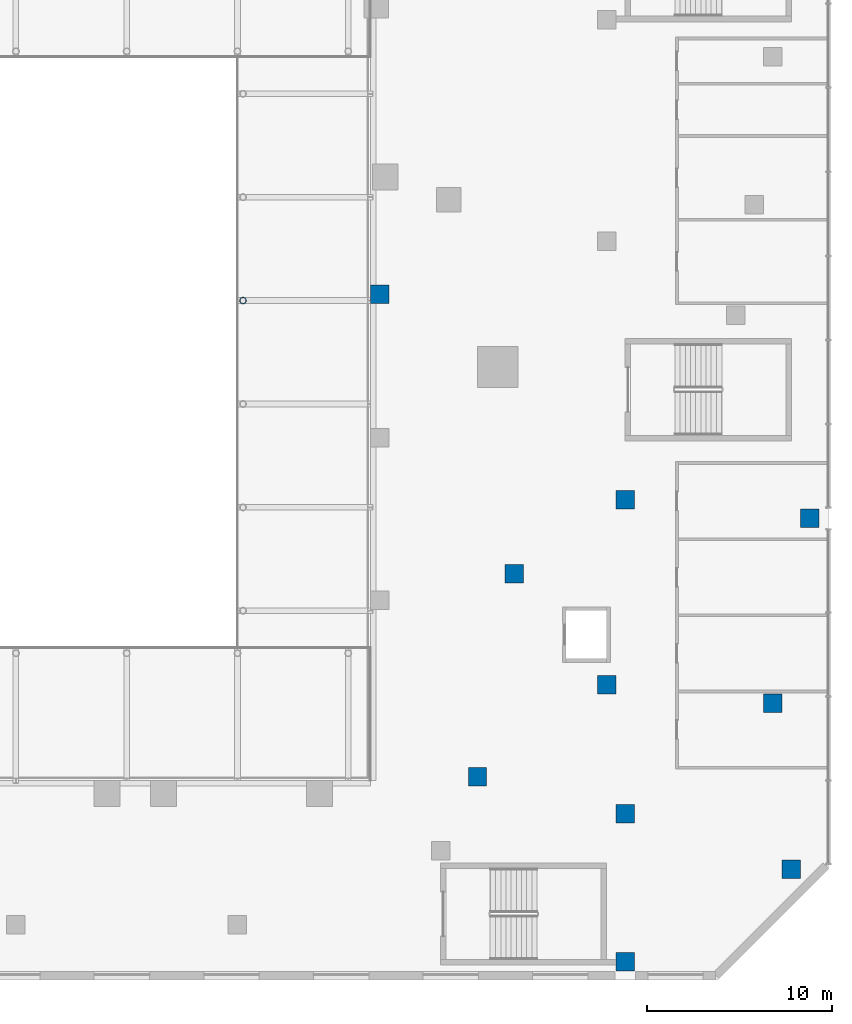
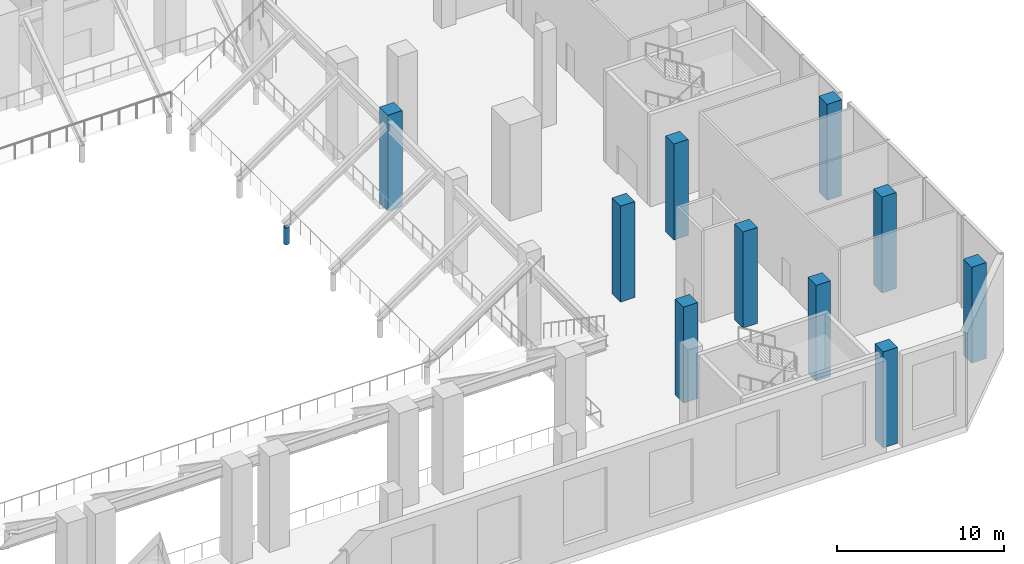
# One storey, part 6 of 41: 11 columns.
"""IFC4 building model written with IfcOpenShell, lengths in metres."""

from ifc_helpers import new_model, si_unit, direction, frame, origin, origin_2d, place, context, subcontext, project, spatial, rectangle, hollow_circle, extrude, material, material_profile, profile_set, type_object, element, save


model = new_model("IFC4")

# Units and contexts
model_context = context("Model", 3, precision=1e-05, world=origin(), true_north=direction((0.0, 1.0)))
body_context = subcontext(model_context, "Body", "Model", "MODEL_VIEW")
ifc_project = project(units=[si_unit("LENGTHUNIT", "METRE"), si_unit("AREAUNIT", "SQUARE_METRE"), si_unit("VOLUMEUNIT", "CUBIC_METRE"), si_unit("PLANEANGLEUNIT", "RADIAN"), si_unit("MASSUNIT", "GRAM", prefix="KILO")], contexts=[model_context])

# Site, building, storey
site_placement = place(None, origin())
site = spatial("IfcSite", under=ifc_project, at=site_placement, CompositionType="ELEMENT")
building_placement = place(site_placement, origin())
building = spatial("IfcBuilding", under=site, at=building_placement, Name="Wharfspan Tower", CompositionType="ELEMENT")
storey_placement = place(building_placement, frame((0.0, 0.0, 8.0)))
storey = spatial("IfcBuildingStorey", under=building, at=storey_placement, Name="L01", CompositionType="ELEMENT", Elevation=8.0)

# Columns
ifc_material_1 = material(Name="Concrete C60/75", Category="concrete")
ifc_material_profile_1 = material_profile(ifc_material_1, rectangle(XDim=1.0, YDim=1.0, at=origin_2d()))
ifc_profile_set_1 = profile_set([ifc_material_profile_1], Name="Concrete C60/75")
column_type_1 = type_object("IfcColumnType", Name="Concrete column 1000 square", PredefinedType="COLUMN", material=ifc_profile_set_1)
for number, where, z_axis, x_axis, name in (
    (1, (83.699951, 5.139893, 0.0), (0.0, 0.0, 1.0), (1.0, 0.0, 0.0), "Column G.E8"),
    (2, (106.0, -26.0, 0.0), (0.0, 0.0, 1.0), (1.0, 0.0, 0.0), "Column D.2"),
    (3, (107.0, -7.0, 0.0), (0.0, 0.0, 1.0), (1.0, 0.0, 0.0), "Column D.5"),
    (4, (97.0, -31.0, 0.0), (0.0, 0.0, 1.0), (1.0, 0.0, 0.0), "Column D.11"),
    (5, (96.0, -16.0, 0.0), (0.0, 0.0, 1.0), (1.0, 0.0, 0.0), "Column D.13"),
    (6, (97.0, -6.0, 0.0), (0.0, 0.0, 1.0), (1.0, 0.0, 0.0), "Column D.28"),
    (7, (105.0, -17.0, 0.0), (0.0, 0.0, 1.0), (1.0, 0.0, 0.0), "Column D.34"),
    (8, (97.0, -23.0, 0.0), (0.0, 0.0, 1.0), (1.0, 0.0, 0.0), "Column D.52"),
    (9, (89.0, -21.0, 0.0), (0.0, 0.0, 1.0), (1.0, 0.0, 0.0), "Column D.54"),
    (10, (91.0, -10.0, 0.0), (0.0, 0.0, 1.0), (1.0, 0.0, 0.0), "Column D.58"),
):
    element("IfcColumn", number, at=place(storey_placement, frame(where, z_axis=z_axis, x_axis=x_axis)), inside=storey, type_object=column_type_1, Name=name, PredefinedType="COLUMN", context=body_context, shape_type="SweptSolid", body=[
        extrude(rectangle(XDim=1.0, YDim=1.0, at=origin_2d()), origin(), (0.0, 0.0, 1.0), 7.0),
    ])
ifc_material_2 = material(Name="Steel S460NH", Category="steel")
ifc_material_profile_2 = material_profile(ifc_material_2, hollow_circle(Radius=0.177734, WallThickness=0.016113, at=origin_2d()))
ifc_profile_set_2 = profile_set([ifc_material_profile_2], Name="Steel S460NH")
column_type_2 = type_object("IfcColumnType", Name="Tier column CHS 356x16", PredefinedType="COLUMN", material=ifc_profile_set_2)
column_placement = place(storey_placement, frame((76.300049, 4.800049, 0.0), z_axis=(0.0, 0.0, 1.0), x_axis=(1.0, 0.0, 0.0)))
element("IfcColumn", 11, at=column_placement, inside=storey, type_object=column_type_2, Name="Upper tier column", PredefinedType="COLUMN", context=body_context, shape_type="SweptSolid", body=[
    extrude(hollow_circle(Radius=0.177734, WallThickness=0.016113, at=origin_2d()), origin(), (0.0, 0.0, 1.0), 1.229248),
])

save(model, "model.ifc")
